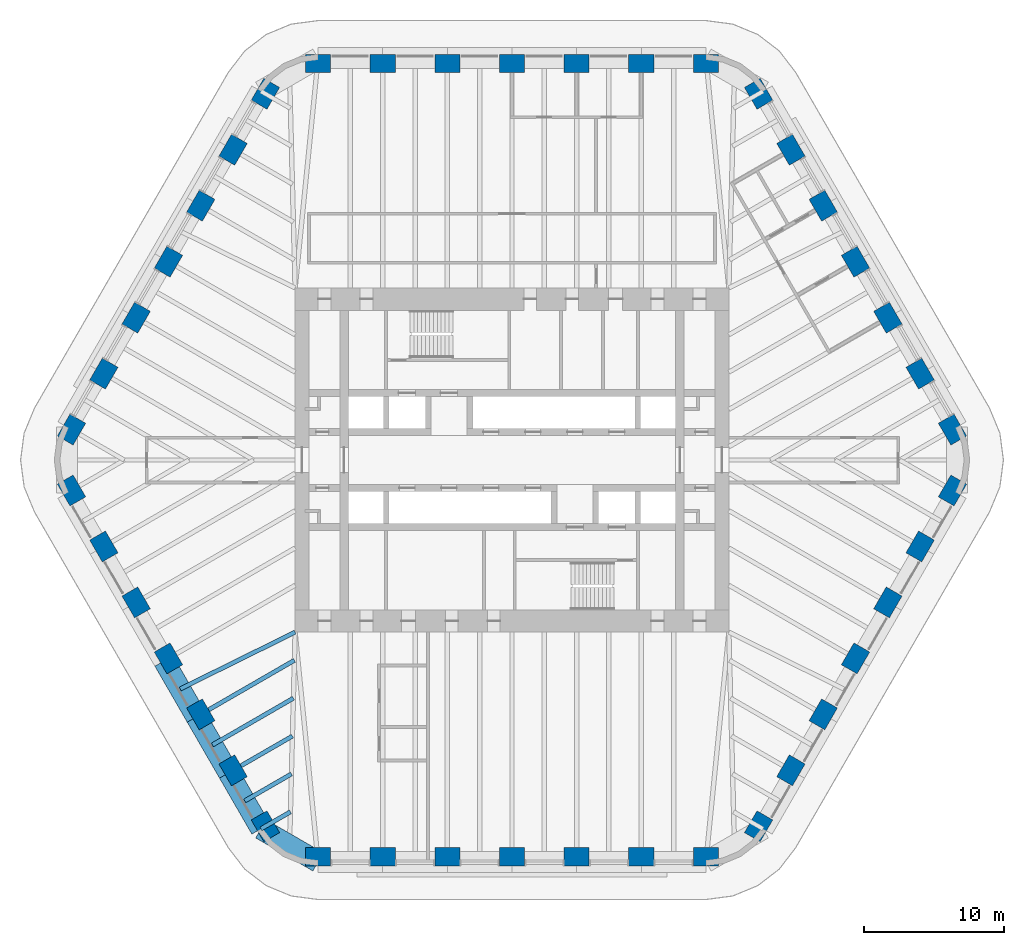
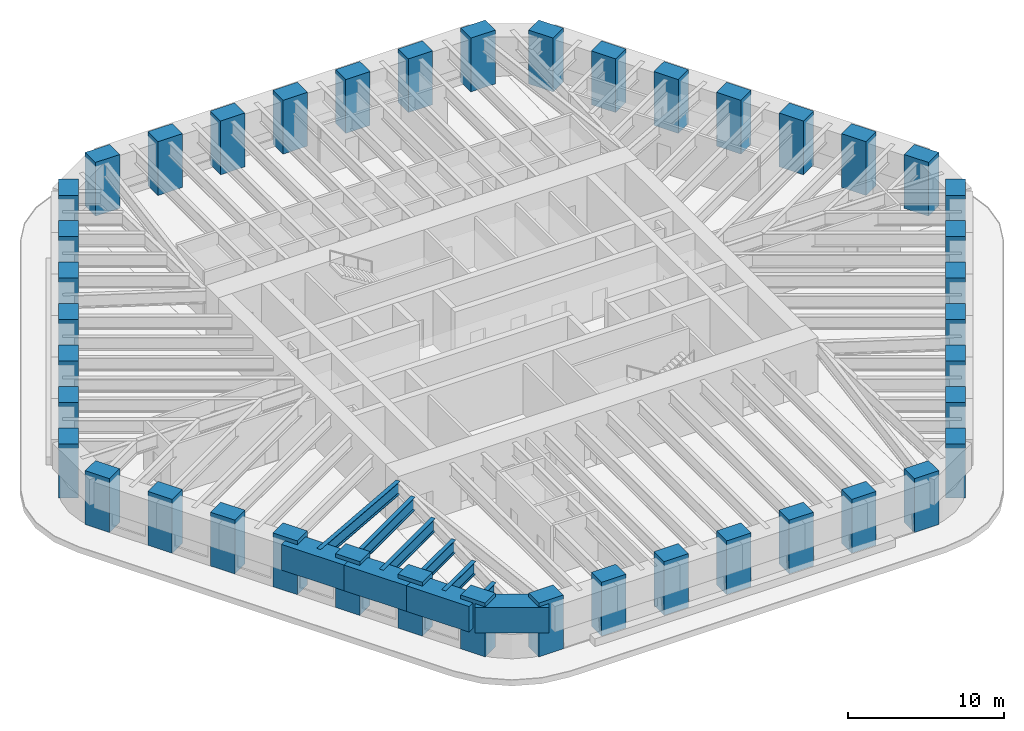
# One storey, part 1 of 12: 42 columns, 10 beams.
"""IFC4 building model written with IfcOpenShell, lengths in metres."""

from ifc_helpers import new_model, si_unit, direction, frame, origin, origin_2d, place, context, subcontext, project, spatial, rectangle, i_section, extrude, material, material_profile, profile_set, type_object, element, save


model = new_model("IFC4")

# Units and contexts
model_context = context("Model", 3, precision=1e-05, world=origin(), true_north=direction((0.0, 1.0)))
body_context = subcontext(model_context, "Body", "Model", "MODEL_VIEW")
ifc_project = project(units=[si_unit("LENGTHUNIT", "METRE"), si_unit("AREAUNIT", "SQUARE_METRE"), si_unit("VOLUMEUNIT", "CUBIC_METRE"), si_unit("PLANEANGLEUNIT", "RADIAN"), si_unit("MASSUNIT", "GRAM", prefix="KILO")], contexts=[model_context])

# Site, building, storey
site_placement = place(None, origin())
site = spatial("IfcSite", under=ifc_project, at=site_placement, CompositionType="ELEMENT")
building_placement = place(site_placement, origin())
building = spatial("IfcBuilding", under=site, at=building_placement, Name="Tarfa Lantern Tower", CompositionType="ELEMENT")
storey_placement = place(building_placement, frame((0.0, 0.0, 295.300048828125)))
storey = spatial("IfcBuildingStorey", under=building, at=storey_placement, Name="L67", CompositionType="ELEMENT", Elevation=295.300048828125)

# Columns
ifc_material_1 = material(Name="Concrete C80/95", Category="concrete")
ifc_material_profile_1 = material_profile(ifc_material_1, rectangle(XDim=1.800048828125, YDim=1.300048828125, at=origin_2d()), Name="RC 1800x1300")
ifc_profile_set_1 = profile_set([ifc_material_profile_1], Name="Concrete C80/95")
column_type = type_object("IfcColumnType", Name="TL3 RC 1800x1300", PredefinedType="COLUMN", material=ifc_profile_set_1)
for number, where, z_axis, x_axis, name in (
    (1, (31.47998046875, 2.175048828125, 0.0), (0.0, 0.0, 1.0), (-0.5, 0.866025403784, 0.0), "Tube column NE0"),
    (2, (29.170654296875, 6.175048828125, 0.0), (0.0, 0.0, 1.0), (-0.5, 0.866025403784, 0.0), "Tube column NE1"),
    (3, (26.861328125, 10.175048828125, 0.0), (0.0, 0.0, 1.0), (-0.5, 0.866025403784, 0.0), "Tube column NE2"),
    (4, (24.5517578125, 14.175048828125, 0.0), (0.0, 0.0, 1.0), (-0.5, 0.866025403784, 0.0), "Tube column NE3"),
    (5, (22.242431640625, 18.175048828125, 0.0), (0.0, 0.0, 1.0), (-0.5, 0.866025403784, 0.0), "Tube column NE4"),
    (6, (19.93310546875, 22.175048828125, 0.0), (0.0, 0.0, 1.0), (-0.5, 0.866025403784, 0.0), "Tube column NE5"),
    (7, (17.62353515625, 26.175048828125, 0.0), (0.0, 0.0, 1.0), (-0.5, 0.866025403784, 0.0), "Tube column NE6"),
    (8, (13.8564453125, 28.35009765625, 0.0), (0.0, 0.0, 1.0), (-1.0, 0.0, 0.0), "Tube column N0"),
    (9, (9.237548828125, 28.35009765625, 0.0), (0.0, 0.0, 1.0), (-1.0, 0.0, 0.0), "Tube column N1"),
    (10, (4.618896484375, 28.35009765625, 0.0), (0.0, 0.0, 1.0), (-1.0, 0.0, 0.0), "Tube column N2"),
    (11, (0.0, 28.35009765625, 0.0), (0.0, 0.0, 1.0), (-1.0, 0.0, 0.0), "Tube column N3"),
    (12, (-4.618896484375, 28.35009765625, 0.0), (0.0, 0.0, 1.0), (-1.0, 0.0, 0.0), "Tube column N4"),
    (13, (-9.237548828125, 28.35009765625, 0.0), (0.0, 0.0, 1.0), (-1.0, 0.0, 0.0), "Tube column N5"),
    (14, (-13.8564453125, 28.35009765625, 0.0), (0.0, 0.0, 1.0), (-1.0, 0.0, 0.0), "Tube column N6"),
    (15, (-17.62353515625, 26.175048828125, 0.0), (0.0, 0.0, 1.0), (-0.5, -0.866025403784, 0.0), "Tube column NW0"),
    (16, (-19.93310546875, 22.175048828125, 0.0), (0.0, 0.0, 1.0), (-0.5, -0.866025403784, 0.0), "Tube column NW1"),
    (17, (-22.242431640625, 18.175048828125, 0.0), (0.0, 0.0, 1.0), (-0.5, -0.866025403784, 0.0), "Tube column NW2"),
    (18, (-24.5517578125, 14.175048828125, 0.0), (0.0, 0.0, 1.0), (-0.5, -0.866025403784, 0.0), "Tube column NW3"),
    (19, (-26.861328125, 10.175048828125, 0.0), (0.0, 0.0, 1.0), (-0.5, -0.866025403784, 0.0), "Tube column NW4"),
    (20, (-29.170654296875, 6.175048828125, 0.0), (0.0, 0.0, 1.0), (-0.5, -0.866025403784, 0.0), "Tube column NW5"),
    (21, (-31.47998046875, 2.175048828125, 0.0), (0.0, 0.0, 1.0), (-0.5, -0.866025403784, 0.0), "Tube column NW6"),
    (22, (-31.47998046875, -2.175048828125, 0.0), (0.0, 0.0, 1.0), (0.5, -0.866025403784, 0.0), "Tube column SW0"),
    (23, (-29.170654296875, -6.175048828125, 0.0), (0.0, 0.0, 1.0), (0.5, -0.866025403784, 0.0), "Tube column SW1"),
    (24, (-26.861328125, -10.175048828125, 0.0), (0.0, 0.0, 1.0), (0.5, -0.866025403784, 0.0), "Tube column SW2"),
    (25, (-24.5517578125, -14.175048828125, 0.0), (0.0, 0.0, 1.0), (0.5, -0.866025403784, 0.0), "Tube column SW3"),
    (26, (-22.242431640625, -18.175048828125, 0.0), (0.0, 0.0, 1.0), (0.5, -0.866025403784, 0.0), "Tube column SW4"),
    (27, (-19.93310546875, -22.175048828125, 0.0), (0.0, 0.0, 1.0), (0.5, -0.866025403784, 0.0), "Tube column SW5"),
    (28, (-17.62353515625, -26.175048828125, 0.0), (0.0, 0.0, 1.0), (0.5, -0.866025403784, 0.0), "Tube column SW6"),
    (29, (-13.8564453125, -28.35009765625, 0.0), (0.0, 0.0, 1.0), (1.0, 0.0, 0.0), "Tube column S0"),
    (30, (-9.237548828125, -28.35009765625, 0.0), (0.0, 0.0, 1.0), (1.0, 0.0, 0.0), "Tube column S1"),
    (31, (-4.618896484375, -28.35009765625, 0.0), (0.0, 0.0, 1.0), (1.0, 0.0, 0.0), "Tube column S2"),
    (32, (0.0, -28.35009765625, 0.0), (0.0, 0.0, 1.0), (1.0, 0.0, 0.0), "Tube column S3"),
    (33, (4.618896484375, -28.35009765625, 0.0), (0.0, 0.0, 1.0), (1.0, 0.0, 0.0), "Tube column S4"),
    (34, (9.237548828125, -28.35009765625, 0.0), (0.0, 0.0, 1.0), (1.0, 0.0, 0.0), "Tube column S5"),
    (35, (13.8564453125, -28.35009765625, 0.0), (0.0, 0.0, 1.0), (1.0, 0.0, 0.0), "Tube column S6"),
    (36, (17.62353515625, -26.175048828125, 0.0), (0.0, 0.0, 1.0), (0.5, 0.866025403784, 0.0), "Tube column SE0"),
    (37, (19.93310546875, -22.175048828125, 0.0), (0.0, 0.0, 1.0), (0.5, 0.866025403784, 0.0), "Tube column SE1"),
    (38, (22.242431640625, -18.175048828125, 0.0), (0.0, 0.0, 1.0), (0.5, 0.866025403784, 0.0), "Tube column SE2"),
    (39, (24.5517578125, -14.175048828125, 0.0), (0.0, 0.0, 1.0), (0.5, 0.866025403784, 0.0), "Tube column SE3"),
    (40, (26.861328125, -10.175048828125, 0.0), (0.0, 0.0, 1.0), (0.5, 0.866025403784, 0.0), "Tube column SE4"),
    (41, (29.170654296875, -6.175048828125, 0.0), (0.0, 0.0, 1.0), (0.5, 0.866025403784, 0.0), "Tube column SE5"),
    (42, (31.47998046875, -2.175048828125, 0.0), (0.0, 0.0, 1.0), (0.5, 0.866025403784, 0.0), "Tube column SE6"),
):
    element("IfcColumn", number, at=place(storey_placement, frame(where, z_axis=z_axis, x_axis=x_axis)), inside=storey, type_object=column_type, Name=name, PredefinedType="COLUMN", context=body_context, shape_type="SweptSolid", body=[
        extrude(rectangle(XDim=1.800048828125, YDim=1.300048828125, at=origin_2d()), origin(), (0.0, 0.0, 1.0), 4.199951171875),
    ])

# Beams
ifc_material_profile_2 = material_profile(ifc_material_1, rectangle(XDim=1.5, YDim=2.0, at=origin_2d()), Name="RC 1500x2000")
ifc_profile_set_2 = profile_set([ifc_material_profile_2], Name="Concrete C80/95")
beam_type_1 = type_object("IfcBeamType", Name="RB3 RC 1500x2000", PredefinedType="BEAM", material=ifc_profile_set_2)
beam_1_placement = place(storey_placement, frame((-24.872314453125, -14.360107421875, 2.89990234375), z_axis=(0.500027479704, -0.866009537788, 0.0), x_axis=(0.866009537788, 0.500027479704, 0.0)))
element("IfcBeam", 43, at=beam_1_placement, inside=storey, type_object=beam_type_1, Name="Edge beam SW3", PredefinedType="BEAM", context=body_context, shape_type="SweptSolid", body=[
    extrude(rectangle(XDim=1.5, YDim=2.0, at=origin_2d()), origin(), (0.0, 0.0, 1.0), 4.618896484375),
])
for number, where, z_axis, x_axis, name in (
    (44, (-22.562744140625, -18.360107421875, 2.89990234375), (0.499987836815, -0.866032426089, 0.0), (0.866032426089, 0.499987836815, 0.0), "Edge beam SW4"),
    (45, (-20.25341796875, -22.360107421875, 2.89990234375), (0.499987836815, -0.866032426089, 0.0), (0.866032426089, 0.499987836815, 0.0), "Edge beam SW5"),
):
    element("IfcBeam", number, at=place(storey_placement, frame(where, z_axis=z_axis, x_axis=x_axis)), inside=storey, type_object=beam_type_1, Name=name, PredefinedType="BEAM", context=body_context, shape_type="SweptSolid", body=[
        extrude(rectangle(XDim=1.5, YDim=2.0, at=origin_2d()), origin(), (0.0, 0.0, 1.0), 4.61865234375),
    ])
beam_2_placement = place(storey_placement, frame((-17.944091796875, -26.360107421875, 2.89990234375), z_axis=(0.866038294681, -0.499977671647, 0.0), x_axis=(0.499977671647, 0.866038294681, 0.0)))
element("IfcBeam", 46, at=beam_2_placement, inside=storey, type_object=beam_type_1, Name="Edge beam SW6", PredefinedType="BEAM", context=body_context, shape_type="SweptSolid", body=[
    extrude(rectangle(XDim=1.5, YDim=2.0, at=origin_2d()), origin(), (0.0, 0.0, 1.0), 4.719970703125),
])
ifc_material_2 = material(Name="Steel S460M", Category="steel")
ifc_material_profile_3 = material_profile(ifc_material_2, i_section(OverallWidth=0.302001953125, OverallDepth=1.008056640625, WebThickness=0.02099609375, FlangeThickness=0.0400390625, FilletRadius=0.030029296875, at=origin_2d()), Name="UB1016x305x349")
ifc_profile_set_3 = profile_set([ifc_material_profile_3], Name="Steel S460M")
beam_type_2 = type_object("IfcBeamType", Name="UB1016x305x349", PredefinedType="BEAM", material=ifc_profile_set_3)
beam_3_placement = place(storey_placement, frame((-22.562744140625, -18.360107421875, 3.39599609375), z_axis=(0.866010787764, 0.500025314835, 0.0), x_axis=(-0.500025314835, 0.866010787764, 0.0)))
element("IfcBeam", 47, at=beam_3_placement, inside=storey, type_object=beam_type_2, Name="Floor beam SW4", PredefinedType="BEAM", context=body_context, shape_type="SweptSolid", body=[
    extrude(i_section(OverallWidth=0.302001953125, OverallDepth=1.008056640625, WebThickness=0.02099609375, FlangeThickness=0.0400390625, FilletRadius=0.030029296875, at=origin_2d()), origin(), (0.0, 0.0, 1.0), 8.09423828125),
])
beam_4_placement = place(storey_placement, frame((-20.25341796875, -22.360107421875, 3.39599609375), z_axis=(0.86601951648, 0.500010196972, 0.0), x_axis=(-0.500010196972, 0.86601951648, 0.0)))
element("IfcBeam", 48, at=beam_4_placement, inside=storey, type_object=beam_type_2, Name="Floor beam SW5", PredefinedType="BEAM", context=body_context, shape_type="SweptSolid", body=[
    extrude(i_section(OverallWidth=0.302001953125, OverallDepth=1.008056640625, WebThickness=0.02099609375, FlangeThickness=0.0400390625, FilletRadius=0.030029296875, at=origin_2d()), origin(), (0.0, 0.0, 1.0), 5.263671875),
])
beam_5_placement = place(storey_placement, frame((-17.944091796875, -26.360107421875, 3.39599609375), z_axis=(0.865980009423, 0.5000786171, 0.0), x_axis=(-0.5000786171, 0.865980009423, 0.0)))
element("IfcBeam", 49, at=beam_5_placement, inside=storey, type_object=beam_type_2, Name="Floor beam SW6", PredefinedType="BEAM", context=body_context, shape_type="SweptSolid", body=[
    extrude(i_section(OverallWidth=0.302001953125, OverallDepth=1.008056640625, WebThickness=0.02099609375, FlangeThickness=0.0400390625, FilletRadius=0.030029296875, at=origin_2d()), origin(), (0.0, 0.0, 1.0), 2.4326171875),
])
beam_6_placement = place(storey_placement, frame((-23.717529296875, -16.360107421875, 3.39599609375), z_axis=(0.896542644816, 0.442957431394, 0.0), x_axis=(-0.442957431394, 0.896542644816, 0.0)))
element("IfcBeam", 50, at=beam_6_placement, inside=storey, type_object=beam_type_2, Name="Floor beam SW3M", PredefinedType="BEAM", context=body_context, shape_type="SweptSolid", body=[
    extrude(i_section(OverallWidth=0.302001953125, OverallDepth=1.008056640625, WebThickness=0.02099609375, FlangeThickness=0.0400390625, FilletRadius=0.030029296875, at=origin_2d()), origin(), (0.0, 0.0, 1.0), 9.165771484375),
])
beam_7_placement = place(storey_placement, frame((-21.408203125, -20.360107421875, 3.39599609375), z_axis=(0.866018796745, 0.500011443554, 0.0), x_axis=(-0.500011443554, 0.866018796745, 0.0)))
element("IfcBeam", 51, at=beam_7_placement, inside=storey, type_object=beam_type_2, Name="Floor beam SW4M", PredefinedType="BEAM", context=body_context, shape_type="SweptSolid", body=[
    extrude(i_section(OverallWidth=0.302001953125, OverallDepth=1.008056640625, WebThickness=0.02099609375, FlangeThickness=0.0400390625, FilletRadius=0.030029296875, at=origin_2d()), origin(), (0.0, 0.0, 1.0), 6.678955078125),
])
beam_8_placement = place(storey_placement, frame((-19.0986328125, -24.360107421875, 3.39599609375), z_axis=(0.866020765707, 0.500008033299, 0.0), x_axis=(-0.500008033299, 0.866020765707, 0.0)))
element("IfcBeam", 52, at=beam_8_placement, inside=storey, type_object=beam_type_2, Name="Floor beam SW5M", PredefinedType="BEAM", context=body_context, shape_type="SweptSolid", body=[
    extrude(i_section(OverallWidth=0.302001953125, OverallDepth=1.008056640625, WebThickness=0.02099609375, FlangeThickness=0.0400390625, FilletRadius=0.030029296875, at=origin_2d()), origin(), (0.0, 0.0, 1.0), 3.84814453125),
])

save(model, "model.ifc")
